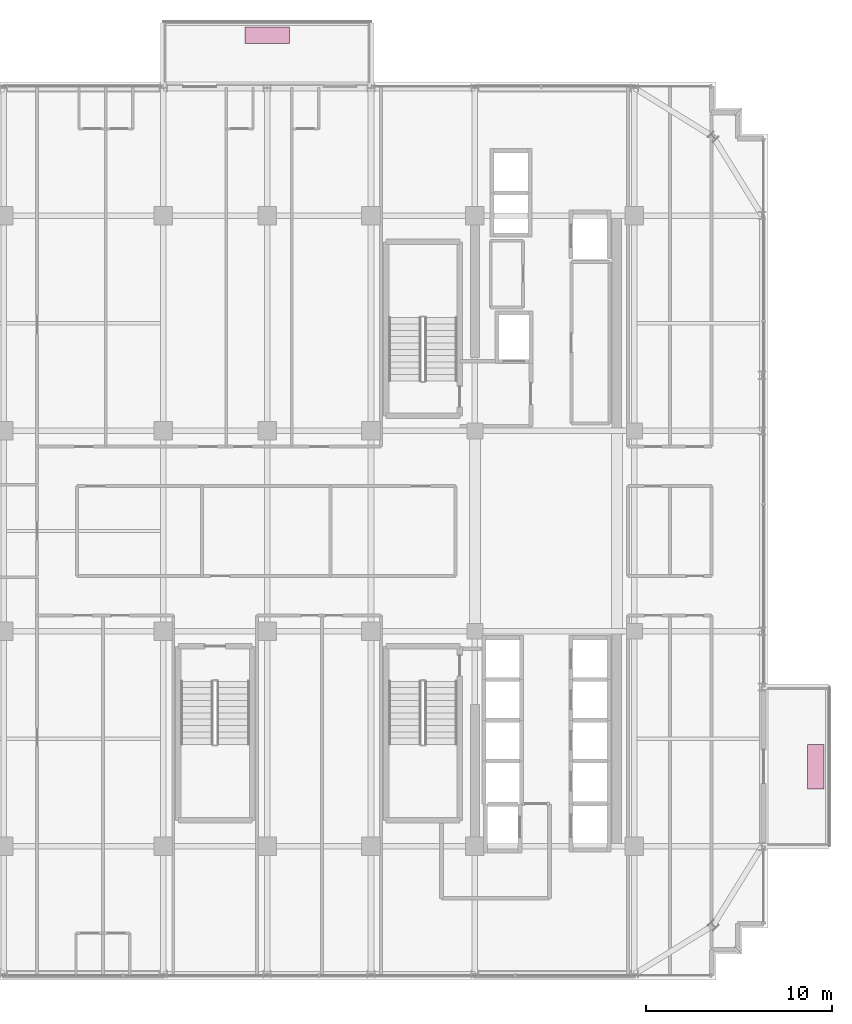
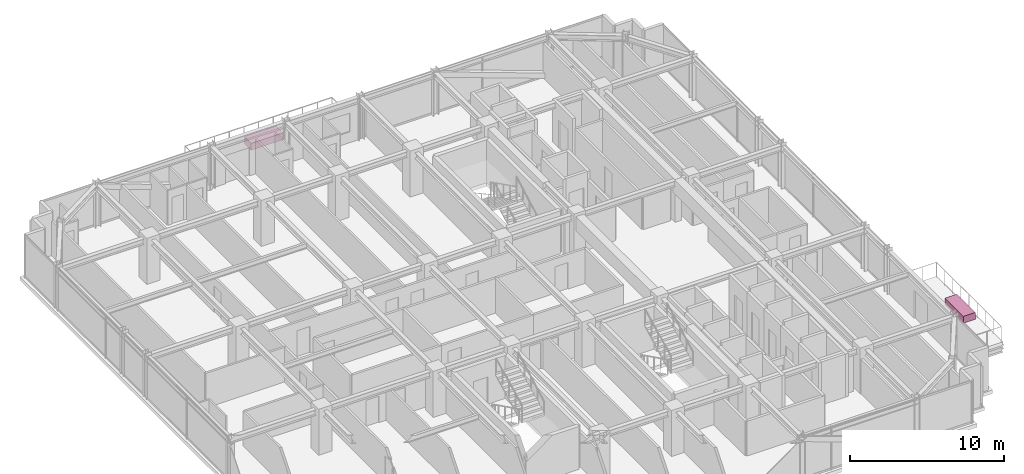
# One storey, part 43 of 43: 2 furnishings.
"""IFC4 building model written with IfcOpenShell, lengths in metres."""

from ifc_helpers import new_model, si_unit, direction, frame, origin, origin_2d, place, context, subcontext, project, spatial, rectangle, extrude, source, transform, mapped, material, type_object, element, save


model = new_model("IFC4")

# Units and contexts
model_context = context("Model", 3, precision=1e-05, world=origin(), true_north=direction((0.0, 1.0)))
body_context = subcontext(model_context, "Body", "Model", "MODEL_VIEW")
ifc_project = project(units=[si_unit("LENGTHUNIT", "METRE"), si_unit("AREAUNIT", "SQUARE_METRE"), si_unit("VOLUMEUNIT", "CUBIC_METRE"), si_unit("PLANEANGLEUNIT", "RADIAN"), si_unit("MASSUNIT", "GRAM", prefix="KILO")], contexts=[model_context])

# Site, building, storey
site_placement = place(None, origin())
site = spatial("IfcSite", under=ifc_project, at=site_placement, CompositionType="ELEMENT")
building_placement = place(site_placement, origin())
building = spatial("IfcBuilding", under=site, at=building_placement, Name="Nahalor Promenade Grand Hotel", CompositionType="ELEMENT")
storey_placement = place(building_placement, frame((0.0, 0.0, 204.89990234375)))
storey = spatial("IfcBuildingStorey", under=building, at=storey_placement, Name="L52", CompositionType="ELEMENT", Elevation=204.89990234375)

# Furnishings
ifc_material = material(Name="Vegetated Volcanic-Lapilli Tree Planter", Category="earth")
furnishing_element_type = type_object("IfcFurnishingElementType", Name="Planter-VerticalForest-Box", material=ifc_material)
shared_shape = source(origin(), body_context, "Body", "SweptSolid", [
    extrude(rectangle(XDim=2.39990234375, YDim=0.89990234375, at=origin_2d()), origin(), (0.0, 0.0, 1.0), 0.550048828125),
])
for number, where, z_axis, x_axis, name in (
    (1, (-2.800048828125, 26.72998046875, 0.0), (0.0, 0.0, 1.0), (1.0, 0.0, 0.0), "L52 Balcony Structural Tree Planter 1"),
    (2, (26.780029296875, -12.699951171875, 0.0), (0.0, 0.0, 1.0), (0.0, 1.0, 0.0), "L52 Balcony Structural Tree Planter 2"),
):
    element("IfcFurnishingElement", number, at=place(storey_placement, frame(where, z_axis=z_axis, x_axis=x_axis)), inside=storey, type_object=furnishing_element_type, Name=name, ObjectType="PLANTER", context=body_context, shape_type="MappedRepresentation", body=[
        mapped(shared_shape, transform((0.0, 0.0, 0.0), scale=1.0)),
    ])

save(model, "model.ifc")
